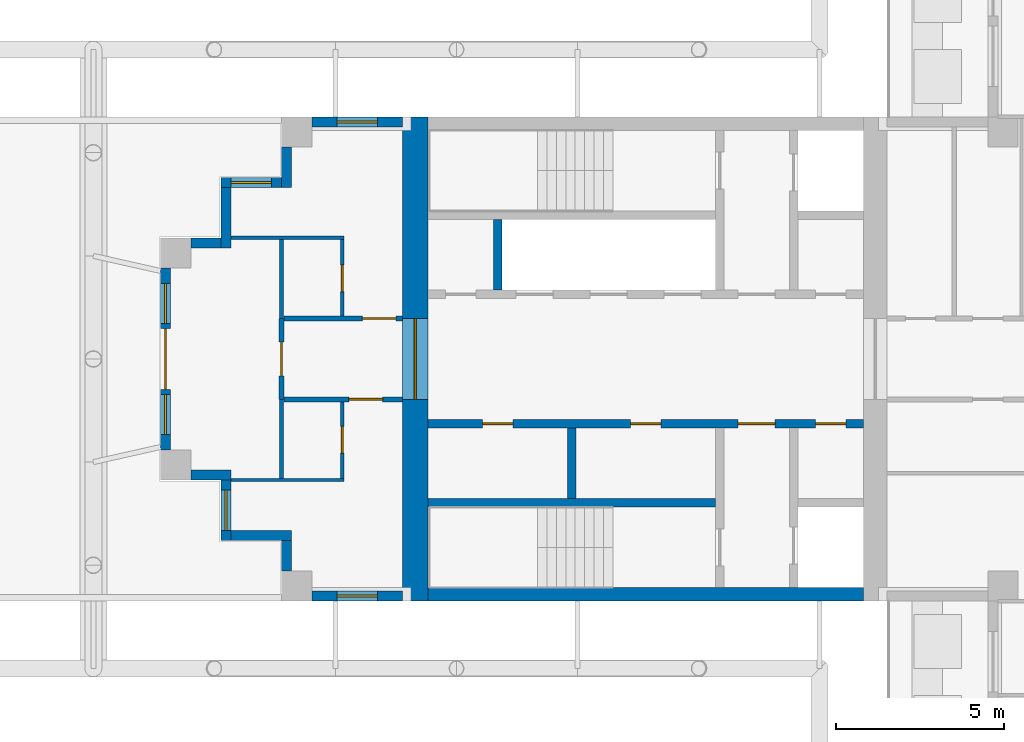
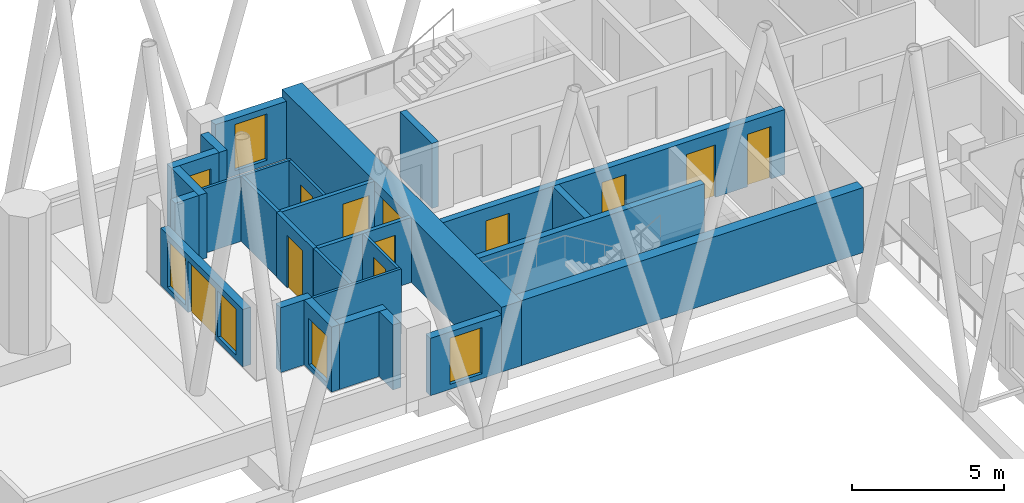
# One storey, part 3 of 11: 26 walls, 11 doors, 6 windows, 17 openings.
"""IFC4 building model written with IfcOpenShell, lengths in metres."""

from ifc_helpers import new_model, si_unit, direction, frame, frame_2d, origin, place, context, subcontext, project, spatial, rectangle, extrude, material, layer, layer_set, type_object, element, fill, save


model = new_model("IFC4")

# Units and contexts
model_context = context("Model", 3, precision=1e-05, world=origin(), true_north=direction((0.0, 1.0)))
body_context = subcontext(model_context, "Body", "Model", "MODEL_VIEW")
ifc_project = project(units=[si_unit("LENGTHUNIT", "METRE"), si_unit("AREAUNIT", "SQUARE_METRE"), si_unit("VOLUMEUNIT", "CUBIC_METRE"), si_unit("PLANEANGLEUNIT", "RADIAN"), si_unit("MASSUNIT", "GRAM", prefix="KILO")], contexts=[model_context])

# Site, building, storey
site_placement = place(None, origin())
site = spatial("IfcSite", under=ifc_project, at=site_placement, CompositionType="ELEMENT")
building_placement = place(site_placement, origin())
building = spatial("IfcBuilding", under=site, at=building_placement, Name="Fustian Cross Tower", CompositionType="ELEMENT")
storey_placement = place(building_placement, frame((0.0, 0.0, 198.89990234375)))
storey = spatial("IfcBuildingStorey", under=building, at=storey_placement, Name="L62", CompositionType="ELEMENT", Elevation=198.89990234375)

# Wall, opening, door
ifc_material_1 = material(Name="Plasterboard on steel stud", Category="steel")
ifc_layer_1 = layer(ifc_material_1, 0.14990234375)
ifc_layer_set_1 = layer_set([ifc_layer_1], Name="Plasterboard on steel stud")
wall_type_1 = type_object("IfcWallType", Name="COMPARTMENT WALL 150 EI 60", PredefinedType="PARTITIONING", material=ifc_layer_set_1)
wall_1_placement = place(storey_placement, frame((-25.199951171875, -1.199951171875, 0.0), z_axis=(0.0, 0.0, 1.0), x_axis=(0.0, 1.0, 0.0)))
wall_1 = element("IfcWall", 1, at=wall_1_placement, inside=storey, type_object=wall_type_1, Name="Partition 4", PredefinedType="PARTITIONING", context=body_context, shape_type="SweptSolid", body=[
    extrude(rectangle(XDim=2.39990234375, YDim=0.14990234375, at=frame_2d((1.199951171875, 0.0))), origin(), (0.0, 0.0, 1.0), 2.60009765625),
])
opening_1_placement = place(wall_1_placement, frame((0.699951171875, 0.0, 0.0)))
opening_1 = element("IfcOpeningElement", 2, at=opening_1_placement, cuts=wall_1, Name="Opening D29021", PredefinedType="OPENING", context=body_context, shape_type="SweptSolid", body=[
    extrude(rectangle(XDim=1.0, YDim=2.10009765625, at=frame_2d((0.5, 1.050048828125))), frame((0.0, 0.0849609375, 0.0), z_axis=(0.0, -1.0, 0.0), x_axis=(1.0, 0.0, 0.0)), (0.0, 0.0, 1.0), 0.169921875),
])
ifc_material_2 = material(Name="Timber fire door set", Category="wood")
door_type_1 = type_object("IfcDoorType", Name="FIRE SWING DOOR 1000 FD30S", OperationType="SINGLE_SWING_LEFT", PredefinedType="DOOR", material=ifc_material_2)
door_1_placement = place(opening_1_placement, origin())
door_1 = element("IfcDoor", 3, at=door_1_placement, inside=storey, type_object=door_type_1, Name="Door D29021", OperationType="SINGLE_SWING_LEFT", OverallHeight=2.10009765625, OverallWidth=1.0, PredefinedType="DOOR", context=body_context, shape_type="SweptSolid", body=[
    extrude(rectangle(XDim=1.0, YDim=2.10009765625, at=frame_2d((0.5, 1.050048828125))), frame((0.0, 0.02490234375, 0.0), z_axis=(0.0, -1.0, 0.0), x_axis=(1.0, 0.0, 0.0)), (0.0, 0.0, 1.0), 0.050048828125),
])
fill(opening_1, door_1)

wall_2_placement = place(storey_placement, frame((-25.125, -1.199951171875, 0.0), z_axis=(0.0, 0.0, 1.0), x_axis=(1.0, 0.0, 0.0)))
wall_2 = element("IfcWall", 4, at=wall_2_placement, inside=storey, type_object=wall_type_1, Name="Partition 5", PredefinedType="PARTITIONING", context=body_context, shape_type="SweptSolid", body=[
    extrude(rectangle(XDim=3.52490234375, YDim=0.14990234375, at=frame_2d((1.762451171875, 0.0))), origin(), (0.0, 0.0, 1.0), 2.60009765625),
])
opening_2_placement = place(wall_2_placement, frame((1.925048828125, 0.0, 0.0)))
opening_2 = element("IfcOpeningElement", 5, at=opening_2_placement, cuts=wall_2, Name="Opening D29023", PredefinedType="OPENING", context=body_context, shape_type="SweptSolid", body=[
    extrude(rectangle(XDim=1.0, YDim=2.10009765625, at=frame_2d((0.5, 1.050048828125))), frame((0.0, 0.0849609375, 0.0), z_axis=(0.0, -1.0, 0.0), x_axis=(1.0, 0.0, 0.0)), (0.0, 0.0, 1.0), 0.169921875),
])
door_2_placement = place(opening_2_placement, frame((1.0, 0.0, 0.0), z_axis=(0.0, 0.0, 1.0), x_axis=(-1.0, 0.0, 0.0)))
door_2 = element("IfcDoor", 6, at=door_2_placement, inside=storey, type_object=door_type_1, Name="Door D29023", OperationType="SINGLE_SWING_RIGHT", OverallHeight=2.10009765625, OverallWidth=1.0, PredefinedType="DOOR", context=body_context, shape_type="SweptSolid", body=[
    extrude(rectangle(XDim=1.0, YDim=2.10009765625, at=frame_2d((0.5, 1.050048828125))), frame((0.0, 0.02490234375, 0.0), z_axis=(0.0, -1.0, 0.0), x_axis=(1.0, 0.0, 0.0)), (0.0, 0.0, 1.0), 0.050048828125),
])
fill(opening_2, door_2)

wall_3_placement = place(storey_placement, frame((-25.125, 1.199951171875, 0.0), z_axis=(0.0, 0.0, 1.0), x_axis=(1.0, 0.0, 0.0)))
wall_3 = element("IfcWall", 7, at=wall_3_placement, inside=storey, type_object=wall_type_1, Name="Partition 7", PredefinedType="PARTITIONING", context=body_context, shape_type="SweptSolid", body=[
    extrude(rectangle(XDim=3.52490234375, YDim=0.14990234375, at=frame_2d((1.762451171875, 0.0))), origin(), (0.0, 0.0, 1.0), 2.60009765625),
])
opening_3_placement = place(wall_3_placement, frame((2.324951171875, 0.0, 0.0)))
opening_3 = element("IfcOpeningElement", 8, at=opening_3_placement, cuts=wall_3, Name="Opening D29025", PredefinedType="OPENING", context=body_context, shape_type="SweptSolid", body=[
    extrude(rectangle(XDim=1.0, YDim=2.10009765625, at=frame_2d((0.5, 1.050048828125))), frame((0.0, 0.0849609375, 0.0), z_axis=(0.0, -1.0, 0.0), x_axis=(1.0, 0.0, 0.0)), (0.0, 0.0, 1.0), 0.169921875),
])
door_3_placement = place(opening_3_placement, origin())
door_3 = element("IfcDoor", 9, at=door_3_placement, inside=storey, type_object=door_type_1, Name="Door D29025", OperationType="SINGLE_SWING_RIGHT", OverallHeight=2.10009765625, OverallWidth=1.0, PredefinedType="DOOR", context=body_context, shape_type="SweptSolid", body=[
    extrude(rectangle(XDim=1.0, YDim=2.10009765625, at=frame_2d((0.5, 1.050048828125))), frame((0.0, 0.02490234375, 0.0), z_axis=(0.0, -1.0, 0.0), x_axis=(1.0, 0.0, 0.0)), (0.0, 0.0, 1.0), 0.050048828125),
])
fill(opening_3, door_3)

ifc_material_3 = material(Name="Concrete C50/60", Category="concrete")
ifc_layer_2 = layer(ifc_material_3, 0.75)
ifc_layer_set_2 = layer_set([ifc_layer_2], Name="Concrete C50/60")
wall_type_2 = type_object("IfcWallType", Name="CORE END WALL 750 C50/60", PredefinedType="SHEAR", material=ifc_layer_set_2)
wall_4_placement = place(storey_placement, frame((-21.22509765625, -7.199951171875, 0.0), z_axis=(0.0, 0.0, 1.0), x_axis=(0.0, 1.0, 0.0)))
wall_4 = element("IfcWall", 10, at=wall_4_placement, inside=storey, type_object=wall_type_2, Name="Core end wall", PredefinedType="SHEAR", context=body_context, shape_type="SweptSolid", body=[
    extrude(rectangle(XDim=14.39990234375, YDim=0.75, at=frame_2d((7.199951171875, 0.0))), origin(), (0.0, 0.0, 1.0), 2.60009765625),
])
opening_4_placement = place(wall_4_placement, frame((6.0, 0.0, 0.0)))
opening_4 = element("IfcOpeningElement", 11, at=opening_4_placement, cuts=wall_4, Name="Opening CD-27-29", PredefinedType="OPENING", context=body_context, shape_type="SweptSolid", body=[
    extrude(rectangle(XDim=2.39990234375, YDim=2.199951171875, at=frame_2d((1.199951171875, 1.10009765625))), frame((0.0, 0.385009765625, 0.0), z_axis=(0.0, -1.0, 0.0), x_axis=(1.0, 0.0, 0.0)), (0.0, 0.0, 1.0), 0.77001953125),
])
ifc_material_4 = material(Name="Steel", Category="steel")
door_type_2 = type_object("IfcDoorType", Name="FIRE DOOR FD30S DOUBLE 2400X2200", OperationType="DOUBLE_DOOR_DOUBLE_SWING", PredefinedType="DOOR", material=ifc_material_4)
door_4_placement = place(opening_4_placement, frame((2.39990234375, 0.0, 0.0), z_axis=(0.0, 0.0, 1.0), x_axis=(-1.0, 0.0, 0.0)))
door_4 = element("IfcDoor", 12, at=door_4_placement, inside=storey, type_object=door_type_2, Name="Core door CD-27-29", OperationType="DOUBLE_DOOR_DOUBLE_SWING", OverallHeight=2.199951171875, OverallWidth=2.39990234375, PredefinedType="DOOR", context=body_context, shape_type="SweptSolid", body=[
    extrude(rectangle(XDim=2.39990234375, YDim=2.199951171875, at=frame_2d((1.199951171875, 1.10009765625))), frame((0.0, 0.02490234375, 0.0), z_axis=(0.0, -1.0, 0.0), x_axis=(1.0, 0.0, 0.0)), (0.0, 0.0, 1.0), 0.050048828125),
])
fill(opening_4, door_4)

# Wall
ifc_material_5 = material(Name="Concrete C50/60", Category="concrete")
ifc_layer_3 = layer(ifc_material_5, 0.39990234375)
ifc_layer_set_3 = layer_set([ifc_layer_3], Name="Concrete C50/60")
wall_type_3 = type_object("IfcWallType", Name="CORE FACADE WALL 400 C50/60", PredefinedType="SHEAR", material=ifc_layer_set_3)
wall_5_placement = place(storey_placement, frame((-7.89990234375, -7.0, 0.0), z_axis=(0.0, 0.0, 1.0), x_axis=(-1.0, 0.0, 0.0)))
element("IfcWall", 13, at=wall_5_placement, inside=storey, type_object=wall_type_3, Name="Core facade wall", PredefinedType="SHEAR", context=body_context, shape_type="SweptSolid", body=[
    extrude(rectangle(XDim=12.9501953125, YDim=0.39990234375, at=frame_2d((6.47509765625, 0.0))), origin(), (0.0, 0.0, 1.0), 2.60009765625),
])

# Wall, openings, doors
ifc_material_6 = material(Name="Concrete C50/60", Category="concrete")
ifc_layer_4 = layer(ifc_material_6, 0.25)
ifc_layer_set_4 = layer_set([ifc_layer_4], Name="Concrete C50/60")
wall_type_4 = type_object("IfcWallType", Name="CORE LOBBY WALL 250 C50/60", PredefinedType="SHEAR", material=ifc_layer_set_4)
wall_6_placement = place(storey_placement, frame((-7.89990234375, -1.925048828125, 0.0), z_axis=(0.0, 0.0, 1.0), x_axis=(-1.0, 0.0, 0.0)))
wall_6 = element("IfcWall", 14, at=wall_6_placement, inside=storey, type_object=wall_type_4, Name="Core lobby wall", PredefinedType="SHEAR", context=body_context, shape_type="SweptSolid", body=[
    extrude(rectangle(XDim=12.9501953125, YDim=0.25, at=frame_2d((6.47509765625, 0.0))), origin(), (0.0, 0.0, 1.0), 2.60009765625),
])
opening_5_placement = place(wall_6_placement, frame((0.52490234375, 0.0, 0.0)))
opening_5 = element("IfcOpeningElement", 15, at=opening_5_placement, cuts=wall_6, Name="Opening CD-27-25", PredefinedType="OPENING", context=body_context, shape_type="SweptSolid", body=[
    extrude(rectangle(XDim=0.89990234375, YDim=2.10009765625, at=frame_2d((0.449951171875, 1.050048828125))), frame((0.0, 0.135009765625, 0.0), z_axis=(0.0, -1.0, 0.0), x_axis=(1.0, 0.0, 0.0)), (0.0, 0.0, 1.0), 0.27001953125),
])
opening_6_placement = place(wall_6_placement, frame((2.625, 0.0, 0.0)))
opening_6 = element("IfcOpeningElement", 16, at=opening_6_placement, cuts=wall_6, Name="Opening CD-27-27", PredefinedType="OPENING", context=body_context, shape_type="SweptSolid", body=[
    extrude(rectangle(XDim=1.10009765625, YDim=2.10009765625, at=frame_2d((0.550048828125, 1.050048828125))), frame((0.0, 0.135009765625, 0.0), z_axis=(0.0, -1.0, 0.0), x_axis=(1.0, 0.0, 0.0)), (0.0, 0.0, 1.0), 0.27001953125),
])
opening_7_placement = place(wall_6_placement, frame((6.02490234375, 0.0, 0.0)))
opening_7 = element("IfcOpeningElement", 17, at=opening_7_placement, cuts=wall_6, Name="Opening CD-27-31", PredefinedType="OPENING", context=body_context, shape_type="SweptSolid", body=[
    extrude(rectangle(XDim=0.89990234375, YDim=2.10009765625, at=frame_2d((0.449951171875, 1.050048828125))), frame((0.0, 0.135009765625, 0.0), z_axis=(0.0, -1.0, 0.0), x_axis=(1.0, 0.0, 0.0)), (0.0, 0.0, 1.0), 0.27001953125),
])
opening_8_placement = place(wall_6_placement, frame((10.425048828125, 0.0, 0.0)))
opening_8 = element("IfcOpeningElement", 18, at=opening_8_placement, cuts=wall_6, Name="Opening CD-27-32", PredefinedType="OPENING", context=body_context, shape_type="SweptSolid", body=[
    extrude(rectangle(XDim=0.89990234375, YDim=2.10009765625, at=frame_2d((0.449951171875, 1.050048828125))), frame((0.0, 0.135009765625, 0.0), z_axis=(0.0, -1.0, 0.0), x_axis=(1.0, 0.0, 0.0)), (0.0, 0.0, 1.0), 0.27001953125),
])
ifc_material_7 = material(Name="Steel", Category="steel")
door_type_3 = type_object("IfcDoorType", Name="FIRE DOOR FD30S 1100X2100", OperationType="SINGLE_SWING_LEFT", PredefinedType="DOOR", material=ifc_material_7)
door_5_placement = place(opening_6_placement, frame((1.10009765625, 0.0, 0.0), z_axis=(0.0, 0.0, 1.0), x_axis=(-1.0, 0.0, 0.0)))
door_5 = element("IfcDoor", 19, at=door_5_placement, inside=storey, type_object=door_type_3, Name="Core door CD-27-27", OperationType="SINGLE_SWING_RIGHT", OverallHeight=2.10009765625, OverallWidth=1.10009765625, PredefinedType="DOOR", context=body_context, shape_type="SweptSolid", body=[
    extrude(rectangle(XDim=1.10009765625, YDim=2.10009765625, at=frame_2d((0.550048828125, 1.050048828125))), frame((0.0, 0.02490234375, 0.0), z_axis=(0.0, -1.0, 0.0), x_axis=(1.0, 0.0, 0.0)), (0.0, 0.0, 1.0), 0.050048828125),
])
fill(opening_6, door_5)
ifc_material_8 = material(Name="Steel", Category="steel")
door_type_4 = type_object("IfcDoorType", Name="FIRE DOOR FD30S 900X2100", OperationType="SINGLE_SWING_LEFT", PredefinedType="DOOR", material=ifc_material_8)
door_6_placement = place(opening_5_placement, origin())
door_6 = element("IfcDoor", 20, at=door_6_placement, inside=storey, type_object=door_type_4, Name="Core door CD-27-25", OperationType="SINGLE_SWING_LEFT", OverallHeight=2.10009765625, OverallWidth=0.89990234375, PredefinedType="DOOR", context=body_context, shape_type="SweptSolid", body=[
    extrude(rectangle(XDim=0.89990234375, YDim=2.10009765625, at=frame_2d((0.449951171875, 1.050048828125))), frame((0.0, 0.02490234375, 0.0), z_axis=(0.0, -1.0, 0.0), x_axis=(1.0, 0.0, 0.0)), (0.0, 0.0, 1.0), 0.050048828125),
])
fill(opening_5, door_6)
door_7_placement = place(opening_7_placement, origin())
door_7 = element("IfcDoor", 21, at=door_7_placement, inside=storey, type_object=door_type_4, Name="Core door CD-27-31", OperationType="SINGLE_SWING_RIGHT", OverallHeight=2.10009765625, OverallWidth=0.89990234375, PredefinedType="DOOR", context=body_context, shape_type="SweptSolid", body=[
    extrude(rectangle(XDim=0.89990234375, YDim=2.10009765625, at=frame_2d((0.449951171875, 1.050048828125))), frame((0.0, 0.02490234375, 0.0), z_axis=(0.0, -1.0, 0.0), x_axis=(1.0, 0.0, 0.0)), (0.0, 0.0, 1.0), 0.050048828125),
])
fill(opening_7, door_7)
door_8_placement = place(opening_8_placement, origin())
door_8 = element("IfcDoor", 22, at=door_8_placement, inside=storey, type_object=door_type_4, Name="Core door CD-27-32", OperationType="SINGLE_SWING_RIGHT", OverallHeight=2.10009765625, OverallWidth=0.89990234375, PredefinedType="DOOR", context=body_context, shape_type="SweptSolid", body=[
    extrude(rectangle(XDim=0.89990234375, YDim=2.10009765625, at=frame_2d((0.449951171875, 1.050048828125))), frame((0.0, 0.02490234375, 0.0), z_axis=(0.0, -1.0, 0.0), x_axis=(1.0, 0.0, 0.0)), (0.0, 0.0, 1.0), 0.050048828125),
])
fill(opening_8, door_8)

# Walls
ifc_material_9 = material(Name="Concrete C50/60", Category="concrete")
ifc_layer_5 = layer(ifc_material_9, 0.25)
ifc_layer_set_5 = layer_set([ifc_layer_5], Name="Concrete C50/60")
wall_type_5 = type_object("IfcWallType", Name="CORE SHAFT WALL 250 C50/60", PredefinedType="SHEAR", material=ifc_layer_set_5)
wall_7_placement = place(storey_placement, frame((-12.300048828125, -4.27490234375, 0.0), z_axis=(0.0, 0.0, 1.0), x_axis=(-1.0, 0.0, 0.0)))
element("IfcWall", 23, at=wall_7_placement, inside=storey, type_object=wall_type_5, Name="Core shaft wall", PredefinedType="SHEAR", context=body_context, shape_type="SweptSolid", body=[
    extrude(rectangle(XDim=8.550048828125, YDim=0.25, at=frame_2d((4.27490234375, 0.0))), origin(), (0.0, 0.0, 1.0), 2.60009765625),
])
ifc_material_10 = material(Name="Plasterboard on steel stud", Category="steel")
ifc_layer_6 = layer(ifc_material_10, 0.10009765625)
ifc_layer_set_6 = layer_set([ifc_layer_6], Name="Plasterboard on steel stud")
wall_type_6 = type_object("IfcWallType", Name="PARTITION 100 STUD", PredefinedType="PARTITIONING", material=ifc_layer_set_6)
for number, where, z_axis, x_axis, name in (
    (24, (-26.699951171875, -3.60009765625, 0.0), (0.0, 0.0, 1.0), (1.0, 0.0, 0.0), "Partition 1"),
    (25, (-26.699951171875, 3.60009765625, 0.0), (0.0, 0.0, 1.0), (1.0, 0.0, 0.0), "Partition 2"),
):
    element("IfcWall", number, at=place(storey_placement, frame(where, z_axis=z_axis, x_axis=x_axis)), inside=storey, type_object=wall_type_6, Name=name, PredefinedType="PARTITIONING", context=body_context, shape_type="SweptSolid", body=[
        extrude(rectangle(XDim=3.349853515625, YDim=0.10009765625, at=frame_2d((1.6748046875, 0.0))), origin(), (0.0, 0.0, 1.0), 2.60009765625),
    ])

# Wall, opening, door
wall_8_placement = place(storey_placement, frame((-23.39990234375, -3.550048828125, 0.0), z_axis=(0.0, 0.0, 1.0), x_axis=(0.0, 1.0, 0.0)))
wall_8 = element("IfcWall", 26, at=wall_8_placement, inside=storey, type_object=wall_type_6, Name="Partition 8", PredefinedType="PARTITIONING", context=body_context, shape_type="SweptSolid", body=[
    extrude(rectangle(XDim=2.275146484375, YDim=0.10009765625, at=frame_2d((1.1376953125, 0.0))), origin(), (0.0, 0.0, 1.0), 2.60009765625),
])
opening_9_placement = place(wall_8_placement, frame((0.75, 0.0, 0.0)))
opening_9 = element("IfcOpeningElement", 27, at=opening_9_placement, cuts=wall_8, Name="Opening D29022", PredefinedType="OPENING", context=body_context, shape_type="SweptSolid", body=[
    extrude(rectangle(XDim=0.800048828125, YDim=2.10009765625, at=frame_2d((0.39990234375, 1.050048828125))), frame((0.0, 0.06005859375, 0.0), z_axis=(0.0, -1.0, 0.0), x_axis=(1.0, 0.0, 0.0)), (0.0, 0.0, 1.0), 0.1201171875),
])
ifc_material_11 = material(Name="Painted timber", Category="wood")
door_type_5 = type_object("IfcDoorType", Name="SWING DOOR 800", OperationType="SINGLE_SWING_LEFT", PredefinedType="DOOR", material=ifc_material_11)
door_9_placement = place(opening_9_placement, origin())
door_9 = element("IfcDoor", 28, at=door_9_placement, inside=storey, type_object=door_type_5, Name="Door D29022", OperationType="SINGLE_SWING_LEFT", OverallHeight=2.10009765625, OverallWidth=0.800048828125, PredefinedType="DOOR", context=body_context, shape_type="SweptSolid", body=[
    extrude(rectangle(XDim=0.800048828125, YDim=2.10009765625, at=frame_2d((0.39990234375, 1.050048828125))), frame((0.0, 0.02490234375, 0.0), z_axis=(0.0, -1.0, 0.0), x_axis=(1.0, 0.0, 0.0)), (0.0, 0.0, 1.0), 0.050048828125),
])
fill(opening_9, door_9)

wall_9_placement = place(storey_placement, frame((-23.39990234375, 1.27490234375, 0.0), z_axis=(0.0, 0.0, 1.0), x_axis=(0.0, 1.0, 0.0)))
wall_9 = element("IfcWall", 29, at=wall_9_placement, inside=storey, type_object=wall_type_6, Name="Partition 9", PredefinedType="PARTITIONING", context=body_context, shape_type="SweptSolid", body=[
    extrude(rectangle(XDim=2.275146484375, YDim=0.10009765625, at=frame_2d((1.1376953125, 0.0))), origin(), (0.0, 0.0, 1.0), 2.60009765625),
])
opening_10_placement = place(wall_9_placement, frame((0.72509765625, 0.0, 0.0)))
opening_10 = element("IfcOpeningElement", 30, at=opening_10_placement, cuts=wall_9, Name="Opening D29024", PredefinedType="OPENING", context=body_context, shape_type="SweptSolid", body=[
    extrude(rectangle(XDim=0.800048828125, YDim=2.10009765625, at=frame_2d((0.39990234375, 1.050048828125))), frame((0.0, 0.06005859375, 0.0), z_axis=(0.0, -1.0, 0.0), x_axis=(1.0, 0.0, 0.0)), (0.0, 0.0, 1.0), 0.1201171875),
])
door_10_placement = place(opening_10_placement, origin())
door_10 = element("IfcDoor", 31, at=door_10_placement, inside=storey, type_object=door_type_5, Name="Door D29024", OperationType="SINGLE_SWING_LEFT", OverallHeight=2.10009765625, OverallWidth=0.800048828125, PredefinedType="DOOR", context=body_context, shape_type="SweptSolid", body=[
    extrude(rectangle(XDim=0.800048828125, YDim=2.10009765625, at=frame_2d((0.39990234375, 1.050048828125))), frame((0.0, 0.02490234375, 0.0), z_axis=(0.0, -1.0, 0.0), x_axis=(1.0, 0.0, 0.0)), (0.0, 0.0, 1.0), 0.050048828125),
])
fill(opening_10, door_10)

# Walls
ifc_material_12 = material(Name="Concrete C40/50", Category="concrete")
ifc_layer_7 = layer(ifc_material_12, 0.25)
ifc_layer_set_7 = layer_set([ifc_layer_7], Name="Concrete C40/50")
wall_type_7 = type_object("IfcWallType", Name="SHAFT PARTITION WALL 250 C40/50", PredefinedType="PARTITIONING", material=ifc_layer_set_7)
for number, where, z_axis, x_axis, name in (
    (32, (-18.77490234375, 2.050048828125, 0.0), (0.0, 0.0, 1.0), (0.0, 1.0, 0.0), "Core shaft wall"),
    (33, (-16.574951171875, -2.050048828125, 0.0), (0.0, 0.0, 1.0), (0.0, -1.0, 0.0), "Core shaft wall"),
):
    element("IfcWall", number, at=place(storey_placement, frame(where, z_axis=z_axis, x_axis=x_axis)), inside=storey, type_object=wall_type_7, Name=name, PredefinedType="PARTITIONING", context=body_context, shape_type="SweptSolid", body=[
        extrude(rectangle(XDim=2.099853515625, YDim=0.25, at=frame_2d((1.0498046875, 0.0))), origin(), (0.0, 0.0, 1.0), 2.60009765625),
    ])
ifc_material_13 = material(Name="Plasterboard on steel stud", Category="steel")
ifc_layer_8 = layer(ifc_material_13, 0.125)
ifc_layer_set_8 = layer_set([ifc_layer_8], Name="Plasterboard on steel stud")
wall_type_8 = type_object("IfcWallType", Name="WET WALL 125 STUD", PredefinedType="PARTITIONING", material=ifc_layer_set_8)
for number, where, z_axis, x_axis, name in (
    (34, (-25.199951171875, -3.550048828125, 0.0), (0.0, 0.0, 1.0), (0.0, 1.0, 0.0), "Partition 3"),
    (35, (-25.199951171875, 1.199951171875, 0.0), (0.0, 0.0, 1.0), (0.0, 1.0, 0.0), "Partition 6"),
):
    element("IfcWall", number, at=place(storey_placement, frame(where, z_axis=z_axis, x_axis=x_axis)), inside=storey, type_object=wall_type_8, Name=name, PredefinedType="PARTITIONING", context=body_context, shape_type="SweptSolid", body=[
        extrude(rectangle(XDim=2.35009765625, YDim=0.125, at=frame_2d((1.175048828125, 0.0))), origin(), (0.0, 0.0, 1.0), 2.60009765625),
    ])

# Wall, opening, window
ifc_material_14 = material(Name="Dark aluminium cladding on insulated backing wall", Category="aluminium")
ifc_layer_9 = layer(ifc_material_14, 0.300048828125)
ifc_layer_set_9 = layer_set([ifc_layer_9], Name="Dark aluminium cladding on insulated backing wall")
wall_type_9 = type_object("IfcWallType", Name="XW1 EXTERNAL WALL 300", PredefinedType="SOLIDWALL", material=ifc_layer_set_9)
wall_10_placement = place(storey_placement, frame((-21.60009765625, 7.050048828125, 0.0), z_axis=(0.0, 0.0, 1.0), x_axis=(-1.0, 0.0, 0.0)))
wall_10 = element("IfcWall", 36, at=wall_10_placement, inside=storey, type_object=wall_type_9, Name="External wall", PredefinedType="SOLIDWALL", context=body_context, shape_type="SweptSolid", body=[
    extrude(rectangle(XDim=2.699951171875, YDim=0.300048828125, at=frame_2d((1.35009765625, 0.0))), origin(), (0.0, 0.0, 1.0), 2.300048828125),
])
opening_11_placement = place(wall_10_placement, frame((0.75, 0.0, 0.199951171875)))
opening_11 = element("IfcOpeningElement", 37, at=opening_11_placement, cuts=wall_10, Name="Opening WN3", PredefinedType="OPENING", context=body_context, shape_type="SweptSolid", body=[
    extrude(rectangle(XDim=1.199951171875, YDim=1.85009765625, at=frame_2d((0.60009765625, 0.925048828125))), frame((0.0, 0.159912109375, 0.0), z_axis=(0.0, -1.0, 0.0), x_axis=(1.0, 0.0, 0.0)), (0.0, 0.0, 1.0), 0.320068359375),
])
ifc_material_15 = material(Name="Dark anodised aluminium and double glazing", Category="aluminium")
window_type = type_object("IfcWindowType", Name="WN3 WINDOW 1200X1850", PartitioningType="SINGLE_PANEL", PredefinedType="WINDOW", material=ifc_material_15)
window_1_placement = place(opening_11_placement, origin())
window_1 = element("IfcWindow", 38, at=window_1_placement, inside=storey, type_object=window_type, Name="Window", OverallHeight=1.85009765625, OverallWidth=1.199951171875, PartitioningType="SINGLE_PANEL", PredefinedType="WINDOW", context=body_context, shape_type="SweptSolid", body=[
    extrude(rectangle(XDim=1.199951171875, YDim=1.85009765625, at=frame_2d((0.60009765625, 0.925048828125))), frame((0.0, 0.030029296875, 0.0), z_axis=(0.0, -1.0, 0.0), x_axis=(1.0, 0.0, 0.0)), (0.0, 0.0, 1.0), 0.06005859375),
])
fill(opening_11, window_1)

# Wall
wall_11_placement = place(storey_placement, frame((-25.050048828125, 6.300048828125, 0.0), z_axis=(0.0, 0.0, 1.0), x_axis=(0.0, -1.0, 0.0)))
element("IfcWall", 39, at=wall_11_placement, inside=storey, type_object=wall_type_9, Name="External wall", PredefinedType="SOLIDWALL", context=body_context, shape_type="SweptSolid", body=[
    extrude(rectangle(XDim=1.199951171875, YDim=0.300048828125, at=frame_2d((0.60009765625, 0.0))), origin(), (0.0, 0.0, 1.0), 2.60009765625),
])

# Wall, opening, window
wall_12_placement = place(storey_placement, frame((-25.199951171875, 5.25, 0.0), z_axis=(0.0, 0.0, 1.0), x_axis=(-1.0, 0.0, 0.0)))
wall_12 = element("IfcWall", 40, at=wall_12_placement, inside=storey, type_object=wall_type_9, Name="External wall", PredefinedType="SOLIDWALL", context=body_context, shape_type="SweptSolid", body=[
    extrude(rectangle(XDim=1.800048828125, YDim=0.300048828125, at=frame_2d((0.89990234375, 0.0))), origin(), (0.0, 0.0, 1.0), 2.60009765625),
])
opening_12_placement = place(wall_12_placement, frame((0.300048828125, 0.0, 0.199951171875)))
opening_12 = element("IfcOpeningElement", 41, at=opening_12_placement, cuts=wall_12, Name="Opening WN3", PredefinedType="OPENING", context=body_context, shape_type="SweptSolid", body=[
    extrude(rectangle(XDim=1.199951171875, YDim=1.85009765625, at=frame_2d((0.60009765625, 0.925048828125))), frame((0.0, 0.159912109375, 0.0), z_axis=(0.0, -1.0, 0.0), x_axis=(1.0, 0.0, 0.0)), (0.0, 0.0, 1.0), 0.320068359375),
])
window_2_placement = place(opening_12_placement, origin())
window_2 = element("IfcWindow", 42, at=window_2_placement, inside=storey, type_object=window_type, Name="Window", OverallHeight=1.85009765625, OverallWidth=1.199951171875, PartitioningType="SINGLE_PANEL", PredefinedType="WINDOW", context=body_context, shape_type="SweptSolid", body=[
    extrude(rectangle(XDim=1.199951171875, YDim=1.85009765625, at=frame_2d((0.60009765625, 0.925048828125))), frame((0.0, 0.030029296875, 0.0), z_axis=(0.0, -1.0, 0.0), x_axis=(1.0, 0.0, 0.0)), (0.0, 0.0, 1.0), 0.06005859375),
])
fill(opening_12, window_2)

# Walls
wall_13_placement = place(storey_placement, frame((-26.85009765625, 5.10009765625, 0.0), z_axis=(0.0, 0.0, 1.0), x_axis=(0.0, -1.0, 0.0)))
element("IfcWall", 43, at=wall_13_placement, inside=storey, type_object=wall_type_9, Name="External wall", PredefinedType="SOLIDWALL", context=body_context, shape_type="SweptSolid", body=[
    extrude(rectangle(XDim=1.800048828125, YDim=0.300048828125, at=frame_2d((0.89990234375, 0.0))), origin(), (0.0, 0.0, 1.0), 2.60009765625),
])
wall_14_placement = place(storey_placement, frame((-27.0, 3.449951171875, 0.0), z_axis=(0.0, 0.0, 1.0), x_axis=(-1.0, 0.0, 0.0)))
element("IfcWall", 44, at=wall_14_placement, inside=storey, type_object=wall_type_9, Name="External wall", PredefinedType="SOLIDWALL", context=body_context, shape_type="SweptSolid", body=[
    extrude(rectangle(XDim=0.89990234375, YDim=0.300048828125, at=frame_2d((0.449951171875, 0.0))), origin(), (0.0, 0.0, 1.0), 2.60009765625),
])

# Wall, openings, door, windows
wall_15_placement = place(storey_placement, frame((-28.64990234375, 2.699951171875, 0.0), z_axis=(0.0, 0.0, 1.0), x_axis=(0.0, -1.0, 0.0)))
wall_15 = element("IfcWall", 45, at=wall_15_placement, inside=storey, type_object=wall_type_9, Name="External wall", PredefinedType="SOLIDWALL", context=body_context, shape_type="SweptSolid", body=[
    extrude(rectangle(XDim=5.39990234375, YDim=0.300048828125, at=frame_2d((2.699951171875, 0.0))), origin(), (0.0, 0.0, 1.0), 2.300048828125),
])
opening_13_placement = place(wall_15_placement, frame((1.800048828125, 0.0, 0.0)))
opening_13 = element("IfcOpeningElement", 46, at=opening_13_placement, cuts=wall_15, Name="Opening XD8", PredefinedType="OPENING", context=body_context, shape_type="SweptSolid", body=[
    extrude(rectangle(XDim=1.800048828125, YDim=2.050048828125, at=frame_2d((0.89990234375, 1.02490234375))), frame((0.0, 0.159912109375, 0.0), z_axis=(0.0, -1.0, 0.0), x_axis=(1.0, 0.0, 0.0)), (0.0, 0.0, 1.0), 0.320068359375),
])
opening_14_placement = place(wall_15_placement, frame((0.449951171875, 0.0, 0.199951171875)))
opening_14 = element("IfcOpeningElement", 47, at=opening_14_placement, cuts=wall_15, Name="Opening WN3", PredefinedType="OPENING", context=body_context, shape_type="SweptSolid", body=[
    extrude(rectangle(XDim=1.199951171875, YDim=1.85009765625, at=frame_2d((0.60009765625, 0.925048828125))), frame((0.0, 0.159912109375, 0.0), z_axis=(0.0, -1.0, 0.0), x_axis=(1.0, 0.0, 0.0)), (0.0, 0.0, 1.0), 0.320068359375),
])
opening_15_placement = place(wall_15_placement, frame((3.75, 0.0, 0.199951171875)))
opening_15 = element("IfcOpeningElement", 48, at=opening_15_placement, cuts=wall_15, Name="Opening WN3", PredefinedType="OPENING", context=body_context, shape_type="SweptSolid", body=[
    extrude(rectangle(XDim=1.199951171875, YDim=1.85009765625, at=frame_2d((0.60009765625, 0.925048828125))), frame((0.0, 0.159912109375, 0.0), z_axis=(0.0, -1.0, 0.0), x_axis=(1.0, 0.0, 0.0)), (0.0, 0.0, 1.0), 0.320068359375),
])
ifc_material_16 = material(Name="Dark anodised aluminium and double glazing", Category="aluminium")
door_type_6 = type_object("IfcDoorType", Name="ED2 TERRACE DOOR 1800X2050", OperationType="SINGLE_SWING_LEFT", PredefinedType="DOOR", material=ifc_material_16)
door_11_placement = place(opening_13_placement, origin())
door_11 = element("IfcDoor", 49, at=door_11_placement, inside=storey, type_object=door_type_6, Name="Terrace door", OperationType="SINGLE_SWING_LEFT", OverallHeight=2.050048828125, OverallWidth=1.800048828125, PredefinedType="DOOR", context=body_context, shape_type="SweptSolid", body=[
    extrude(rectangle(XDim=1.800048828125, YDim=2.050048828125, at=frame_2d((0.89990234375, 1.02490234375))), frame((0.0, 0.02490234375, 0.0), z_axis=(0.0, -1.0, 0.0), x_axis=(1.0, 0.0, 0.0)), (0.0, 0.0, 1.0), 0.050048828125),
])
fill(opening_13, door_11)
window_3_placement = place(opening_14_placement, origin())
window_3 = element("IfcWindow", 50, at=window_3_placement, inside=storey, type_object=window_type, Name="Window", OverallHeight=1.85009765625, OverallWidth=1.199951171875, PartitioningType="SINGLE_PANEL", PredefinedType="WINDOW", context=body_context, shape_type="SweptSolid", body=[
    extrude(rectangle(XDim=1.199951171875, YDim=1.85009765625, at=frame_2d((0.60009765625, 0.925048828125))), frame((0.0, 0.030029296875, 0.0), z_axis=(0.0, -1.0, 0.0), x_axis=(1.0, 0.0, 0.0)), (0.0, 0.0, 1.0), 0.06005859375),
])
fill(opening_14, window_3)
window_4_placement = place(opening_15_placement, origin())
window_4 = element("IfcWindow", 51, at=window_4_placement, inside=storey, type_object=window_type, Name="Window", OverallHeight=1.85009765625, OverallWidth=1.199951171875, PartitioningType="SINGLE_PANEL", PredefinedType="WINDOW", context=body_context, shape_type="SweptSolid", body=[
    extrude(rectangle(XDim=1.199951171875, YDim=1.85009765625, at=frame_2d((0.60009765625, 0.925048828125))), frame((0.0, 0.030029296875, 0.0), z_axis=(0.0, -1.0, 0.0), x_axis=(1.0, 0.0, 0.0)), (0.0, 0.0, 1.0), 0.06005859375),
])
fill(opening_15, window_4)

# Wall
wall_16_placement = place(storey_placement, frame((-27.89990234375, -3.449951171875, 0.0), z_axis=(0.0, 0.0, 1.0), x_axis=(1.0, 0.0, 0.0)))
element("IfcWall", 52, at=wall_16_placement, inside=storey, type_object=wall_type_9, Name="External wall", PredefinedType="SOLIDWALL", context=body_context, shape_type="SweptSolid", body=[
    extrude(rectangle(XDim=1.199951171875, YDim=0.300048828125, at=frame_2d((0.60009765625, 0.0))), origin(), (0.0, 0.0, 1.0), 2.60009765625),
])

# Wall, opening, window
wall_17_placement = place(storey_placement, frame((-26.85009765625, -3.60009765625, 0.0), z_axis=(0.0, 0.0, 1.0), x_axis=(0.0, -1.0, 0.0)))
wall_17 = element("IfcWall", 53, at=wall_17_placement, inside=storey, type_object=wall_type_9, Name="External wall", PredefinedType="SOLIDWALL", context=body_context, shape_type="SweptSolid", body=[
    extrude(rectangle(XDim=1.7998046875, YDim=0.300048828125, at=frame_2d((0.89990234375, 0.0))), origin(), (0.0, 0.0, 1.0), 2.60009765625),
])
opening_16_placement = place(wall_17_placement, frame((0.300048828125, 0.0, 0.199951171875)))
opening_16 = element("IfcOpeningElement", 54, at=opening_16_placement, cuts=wall_17, Name="Opening WN3", PredefinedType="OPENING", context=body_context, shape_type="SweptSolid", body=[
    extrude(rectangle(XDim=1.199951171875, YDim=1.85009765625, at=frame_2d((0.60009765625, 0.925048828125))), frame((0.0, 0.159912109375, 0.0), z_axis=(0.0, -1.0, 0.0), x_axis=(1.0, 0.0, 0.0)), (0.0, 0.0, 1.0), 0.320068359375),
])
window_5_placement = place(opening_16_placement, origin())
window_5 = element("IfcWindow", 55, at=window_5_placement, inside=storey, type_object=window_type, Name="Window", OverallHeight=1.85009765625, OverallWidth=1.199951171875, PartitioningType="SINGLE_PANEL", PredefinedType="WINDOW", context=body_context, shape_type="SweptSolid", body=[
    extrude(rectangle(XDim=1.199951171875, YDim=1.85009765625, at=frame_2d((0.60009765625, 0.925048828125))), frame((0.0, 0.030029296875, 0.0), z_axis=(0.0, -1.0, 0.0), x_axis=(1.0, 0.0, 0.0)), (0.0, 0.0, 1.0), 0.06005859375),
])
fill(opening_16, window_5)

# Walls
wall_18_placement = place(storey_placement, frame((-26.699951171875, -5.25, 0.0), z_axis=(0.0, 0.0, 1.0), x_axis=(1.0, 0.0, 0.0)))
element("IfcWall", 56, at=wall_18_placement, inside=storey, type_object=wall_type_9, Name="External wall", PredefinedType="SOLIDWALL", context=body_context, shape_type="SweptSolid", body=[
    extrude(rectangle(XDim=1.800048828125, YDim=0.300048828125, at=frame_2d((0.89990234375, 0.0))), origin(), (0.0, 0.0, 1.0), 2.60009765625),
])
wall_19_placement = place(storey_placement, frame((-25.050048828125, -5.39990234375, 0.0), z_axis=(0.0, 0.0, 1.0), x_axis=(0.0, -1.0, 0.0)))
element("IfcWall", 57, at=wall_19_placement, inside=storey, type_object=wall_type_9, Name="External wall", PredefinedType="SOLIDWALL", context=body_context, shape_type="SweptSolid", body=[
    extrude(rectangle(XDim=0.900146484375, YDim=0.300048828125, at=frame_2d((0.4501953125, 0.0))), origin(), (0.0, 0.0, 1.0), 2.60009765625),
])

# Wall, opening, window
wall_20_placement = place(storey_placement, frame((-24.300048828125, -7.050048828125, 0.0), z_axis=(0.0, 0.0, 1.0), x_axis=(1.0, 0.0, 0.0)))
wall_20 = element("IfcWall", 58, at=wall_20_placement, inside=storey, type_object=wall_type_9, Name="External wall", PredefinedType="SOLIDWALL", context=body_context, shape_type="SweptSolid", body=[
    extrude(rectangle(XDim=2.699951171875, YDim=0.300048828125, at=frame_2d((1.35009765625, 0.0))), origin(), (0.0, 0.0, 1.0), 2.300048828125),
])
opening_17_placement = place(wall_20_placement, frame((0.75, 0.0, 0.199951171875)))
opening_17 = element("IfcOpeningElement", 59, at=opening_17_placement, cuts=wall_20, Name="Opening WN3", PredefinedType="OPENING", context=body_context, shape_type="SweptSolid", body=[
    extrude(rectangle(XDim=1.199951171875, YDim=1.85009765625, at=frame_2d((0.60009765625, 0.925048828125))), frame((0.0, 0.159912109375, 0.0), z_axis=(0.0, -1.0, 0.0), x_axis=(1.0, 0.0, 0.0)), (0.0, 0.0, 1.0), 0.320068359375),
])
window_6_placement = place(opening_17_placement, origin())
window_6 = element("IfcWindow", 60, at=window_6_placement, inside=storey, type_object=window_type, Name="Window", OverallHeight=1.85009765625, OverallWidth=1.199951171875, PartitioningType="SINGLE_PANEL", PredefinedType="WINDOW", context=body_context, shape_type="SweptSolid", body=[
    extrude(rectangle(XDim=1.199951171875, YDim=1.85009765625, at=frame_2d((0.60009765625, 0.925048828125))), frame((0.0, 0.030029296875, 0.0), z_axis=(0.0, -1.0, 0.0), x_axis=(1.0, 0.0, 0.0)), (0.0, 0.0, 1.0), 0.06005859375),
])
fill(opening_17, window_6)

save(model, "model.ifc")
